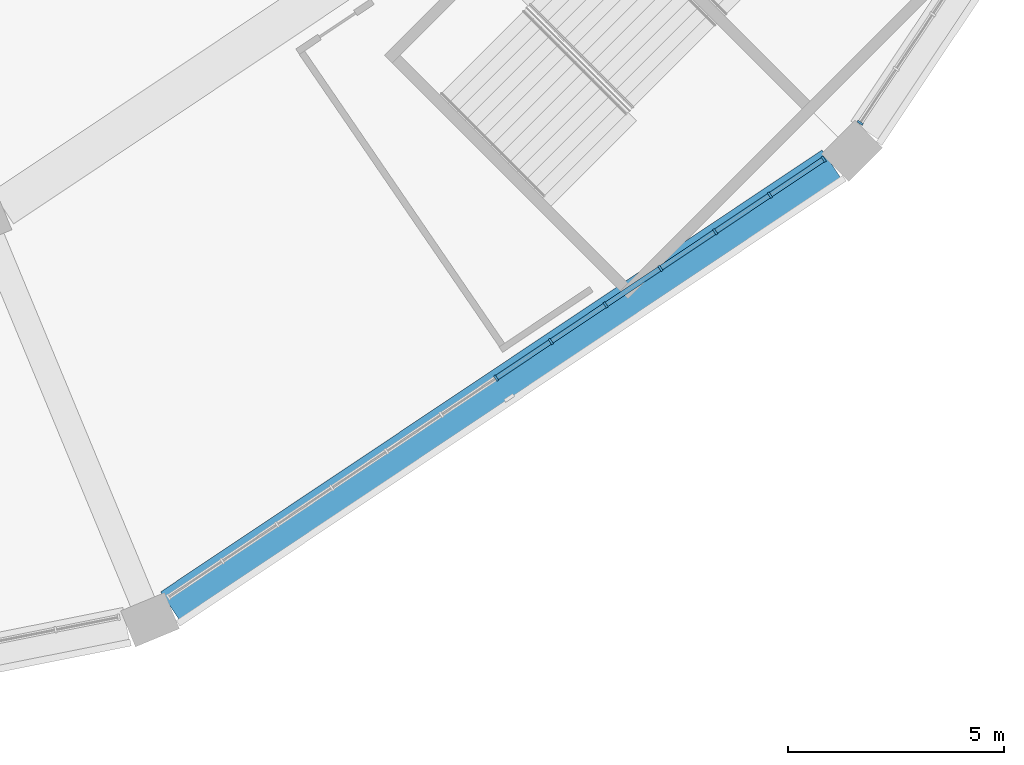
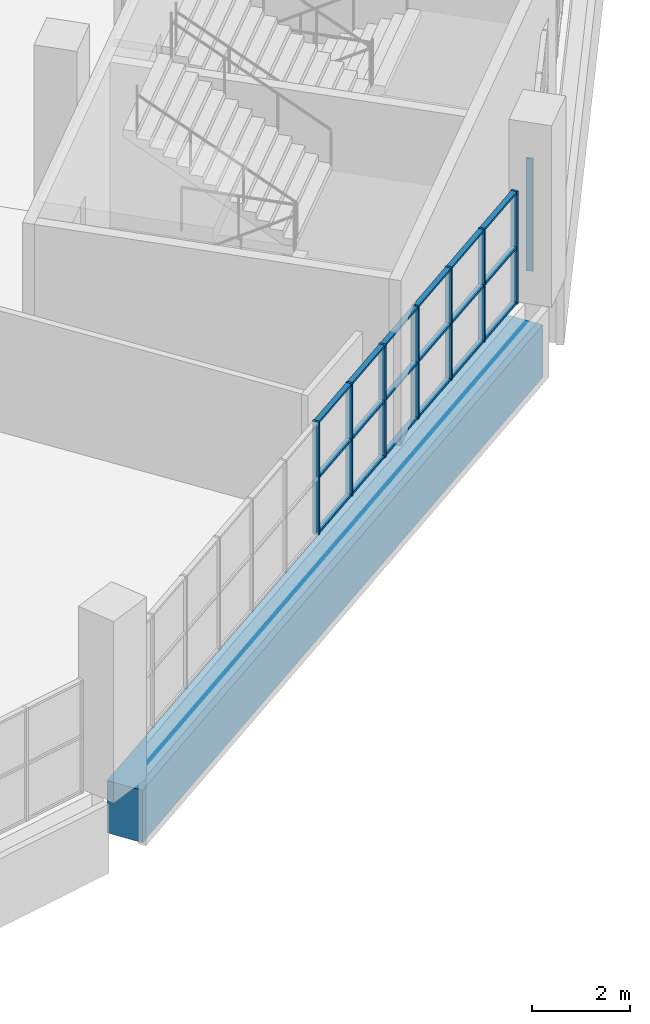
# One storey, part 22 of 199: 26 members, 1 beam, 2 elements without a shape of their own.
"""IFC4 building model written with IfcOpenShell, lengths in metres."""

from ifc_helpers import new_model, si_unit, direction, frame, origin, origin_2d, place, context, subcontext, project, spatial, rectangle, extrude, material, material_profile, profile_set, type_object, element, aggregate, save


model = new_model("IFC4")

# Units and contexts
model_context = context("Model", 3, precision=1e-05, world=origin(), true_north=direction((0.0, 1.0)))
body_context = subcontext(model_context, "Body", "Model", "MODEL_VIEW")
ifc_project = project(units=[si_unit("LENGTHUNIT", "METRE"), si_unit("AREAUNIT", "SQUARE_METRE"), si_unit("VOLUMEUNIT", "CUBIC_METRE"), si_unit("PLANEANGLEUNIT", "RADIAN"), si_unit("MASSUNIT", "GRAM", prefix="KILO")], contexts=[model_context])

# Site, building, storey
site_placement = place(None, origin())
site = spatial("IfcSite", under=ifc_project, at=site_placement, CompositionType="ELEMENT")
building_placement = place(site_placement, origin())
building = spatial("IfcBuilding", under=site, at=building_placement, Name="Ogive Plaza Stadium", CompositionType="ELEMENT")
storey_placement = place(building_placement, frame((0.0, 0.0, 4.5)))
storey = spatial("IfcBuildingStorey", under=building, at=storey_placement, Name="L01", CompositionType="ELEMENT", Elevation=4.5)

# Curtain wall, member
ifc_material_1 = material(Name="Bronze-anodised aluminium with laminated glass", Category="aluminium")
curtain_wall_type = type_object("IfcCurtainWallType", Name="Lancet curtain wall", PredefinedType="NOTDEFINED", material=ifc_material_1)
curtain_wall_1_placement = place(storey_placement, origin())
curtain_wall_1 = element("IfcCurtainWall", 1, at=curtain_wall_1_placement, inside=storey, type_object=curtain_wall_type, Name="CURTAIN WALL B09 L01", PredefinedType="NOTDEFINED")
ifc_material_2 = material(Name="Bronze-anodised aluminium", Category="aluminium")
ifc_material_profile_1 = material_profile(ifc_material_2, rectangle(XDim=0.14990234375, YDim=0.050048828125, at=origin_2d()), Name="AL 150x50")
ifc_profile_set_1 = profile_set([ifc_material_profile_1], Name="Bronze-anodised aluminium")
member_type_1 = type_object("IfcMemberType", Name="Curtain wall mullion 50x150", PredefinedType="MULLION", material=ifc_profile_set_1)
member_1_placement = place(storey_placement, frame((69.547607421875, -87.20751953125, 0.0), z_axis=(0.0, 0.0, 1.0), x_axis=(0.831469612303, -0.55557023302, 0.0)))
member_1 = element("IfcMember", 2, at=member_1_placement, type_object=member_type_1, Name="CW-B09-L01 mullion 13", PredefinedType="MULLION", context=body_context, shape_type="SweptSolid", body=[
    extrude(rectangle(XDim=0.14990234375, YDim=0.050048828125, at=origin_2d()), origin(), (0.0, 0.0, 1.0), 2.7900390625),
])
aggregate(curtain_wall_1, [member_1])

# Curtain wall, members
curtain_wall_2_placement = place(storey_placement, origin())
curtain_wall_2 = element("IfcCurtainWall", 3, at=curtain_wall_2_placement, inside=storey, type_object=curtain_wall_type, Name="CURTAIN WALL B10 L01", PredefinedType="NOTDEFINED")
member_2_placement = place(storey_placement, frame((68.70751953125, -88.047607421875, 0.0), z_axis=(0.0, 0.0, 1.0), x_axis=(0.55557023302, -0.831469612303, 0.0)))
member_2 = element("IfcMember", 4, at=member_2_placement, type_object=member_type_1, Name="CW-B10-L01 mullion 1", PredefinedType="MULLION", context=body_context, shape_type="SweptSolid", body=[
    extrude(rectangle(XDim=0.14990234375, YDim=0.050048828125, at=origin_2d()), origin(), (0.0, 0.0, 1.0), 2.7900390625),
])
member_3_placement = place(storey_placement, frame((67.462646484375, -88.879638671875, 0.0), z_axis=(0.0, 0.0, 1.0), x_axis=(0.55557023302, -0.831469612303, 0.0)))
member_3 = element("IfcMember", 5, at=member_3_placement, type_object=member_type_1, Name="CW-B10-L01 mullion 2", PredefinedType="MULLION", context=body_context, shape_type="SweptSolid", body=[
    extrude(rectangle(XDim=0.14990234375, YDim=0.050048828125, at=origin_2d()), origin(), (0.0, 0.0, 1.0), 2.7900390625),
])
member_4_placement = place(storey_placement, frame((66.19677734375, -89.725341796875, 0.0), z_axis=(0.0, 0.0, 1.0), x_axis=(0.55557023302, -0.831469612303, 0.0)))
member_4 = element("IfcMember", 6, at=member_4_placement, type_object=member_type_1, Name="CW-B10-L01 mullion 3", PredefinedType="MULLION", context=body_context, shape_type="SweptSolid", body=[
    extrude(rectangle(XDim=0.14990234375, YDim=0.050048828125, at=origin_2d()), origin(), (0.0, 0.0, 1.0), 2.7900390625),
])
member_5_placement = place(storey_placement, frame((64.930908203125, -90.571044921875, 0.0), z_axis=(0.0, 0.0, 1.0), x_axis=(0.55557023302, -0.831469612303, 0.0)))
member_5 = element("IfcMember", 7, at=member_5_placement, type_object=member_type_1, Name="CW-B10-L01 mullion 4", PredefinedType="MULLION", context=body_context, shape_type="SweptSolid", body=[
    extrude(rectangle(XDim=0.14990234375, YDim=0.050048828125, at=origin_2d()), origin(), (0.0, 0.0, 1.0), 2.7900390625),
])
member_6_placement = place(storey_placement, frame((63.665283203125, -91.416748046875, 0.0), z_axis=(0.0, 0.0, 1.0), x_axis=(0.55557023302, -0.831469612303, 0.0)))
member_6 = element("IfcMember", 8, at=member_6_placement, type_object=member_type_1, Name="CW-B10-L01 mullion 5", PredefinedType="MULLION", context=body_context, shape_type="SweptSolid", body=[
    extrude(rectangle(XDim=0.14990234375, YDim=0.050048828125, at=origin_2d()), origin(), (0.0, 0.0, 1.0), 2.7900390625),
])
member_7_placement = place(storey_placement, frame((62.3994140625, -92.2626953125, 0.0), z_axis=(0.0, 0.0, 1.0), x_axis=(0.55557023302, -0.831469612303, 0.0)))
member_7 = element("IfcMember", 9, at=member_7_placement, type_object=member_type_1, Name="CW-B10-L01 mullion 6", PredefinedType="MULLION", context=body_context, shape_type="SweptSolid", body=[
    extrude(rectangle(XDim=0.14990234375, YDim=0.050048828125, at=origin_2d()), origin(), (0.0, 0.0, 1.0), 2.7900390625),
])
member_8_placement = place(storey_placement, frame((61.133544921875, -93.1083984375, 0.0), z_axis=(0.0, 0.0, 1.0), x_axis=(0.55557023302, -0.831469612303, 0.0)))
member_8 = element("IfcMember", 10, at=member_8_placement, type_object=member_type_1, Name="CW-B10-L01 mullion 7", PredefinedType="MULLION", context=body_context, shape_type="SweptSolid", body=[
    extrude(rectangle(XDim=0.14990234375, YDim=0.050048828125, at=origin_2d()), origin(), (0.0, 0.0, 1.0), 2.7900390625),
])
ifc_material_3 = material(Name="Bronze-anodised aluminium", Category="aluminium")
ifc_material_profile_2 = material_profile(ifc_material_3, rectangle(XDim=0.1201171875, YDim=0.050048828125, at=origin_2d()), Name="AL 120x50")
ifc_profile_set_2 = profile_set([ifc_material_profile_2], Name="Bronze-anodised aluminium")
member_type_2 = type_object("IfcMemberType", Name="Curtain wall transom 50x120", PredefinedType="USERDEFINED", material=ifc_profile_set_2)
member_9_placement = place(storey_placement, frame((68.686767578125, -88.0615234375, 0.02490234375), z_axis=(-0.831426948977, -0.555634077892, 0.0), x_axis=(0.555634077892, -0.831426948977, 0.0)))
member_9 = element("IfcMember", 11, at=member_9_placement, type_object=member_type_2, Name="CW-B10-L01 transom 1.1", ObjectType="TRANSOM", PredefinedType="USERDEFINED", context=body_context, shape_type="SweptSolid", body=[
    extrude(rectangle(XDim=0.1201171875, YDim=0.050048828125, at=origin_2d()), origin(), (0.0, 0.0, 1.0), 1.447265625),
])
member_10_placement = place(storey_placement, frame((68.686767578125, -88.0615234375, 1.39501953125), z_axis=(-0.831426948977, -0.555634077892, 0.0), x_axis=(0.555634077892, -0.831426948977, 0.0)))
member_10 = element("IfcMember", 12, at=member_10_placement, type_object=member_type_2, Name="CW-B10-L01 transom 1.2", ObjectType="TRANSOM", PredefinedType="USERDEFINED", context=body_context, shape_type="SweptSolid", body=[
    extrude(rectangle(XDim=0.1201171875, YDim=0.050048828125, at=origin_2d()), origin(), (0.0, 0.0, 1.0), 1.447265625),
])
member_11_placement = place(storey_placement, frame((68.686767578125, -88.0615234375, 2.764892578125), z_axis=(-0.831426948977, -0.555634077892, 0.0), x_axis=(0.555634077892, -0.831426948977, 0.0)))
member_11 = element("IfcMember", 13, at=member_11_placement, type_object=member_type_2, Name="CW-B10-L01 transom 1.3", ObjectType="TRANSOM", PredefinedType="USERDEFINED", context=body_context, shape_type="SweptSolid", body=[
    extrude(rectangle(XDim=0.1201171875, YDim=0.050048828125, at=origin_2d()), origin(), (0.0, 0.0, 1.0), 1.447265625),
])
member_12_placement = place(storey_placement, frame((67.441650390625, -88.893310546875, 0.02490234375), z_axis=(-0.831411982446, -0.555656472512, 0.0), x_axis=(0.555656472512, -0.831411982446, 0.0)))
member_12 = element("IfcMember", 14, at=member_12_placement, type_object=member_type_2, Name="CW-B10-L01 transom 2.1", ObjectType="TRANSOM", PredefinedType="USERDEFINED", context=body_context, shape_type="SweptSolid", body=[
    extrude(rectangle(XDim=0.1201171875, YDim=0.050048828125, at=origin_2d()), origin(), (0.0, 0.0, 1.0), 1.472412109375),
])
member_13_placement = place(storey_placement, frame((67.441650390625, -88.893310546875, 1.39501953125), z_axis=(-0.831411982446, -0.555656472512, 0.0), x_axis=(0.555656472512, -0.831411982446, 0.0)))
member_13 = element("IfcMember", 15, at=member_13_placement, type_object=member_type_2, Name="CW-B10-L01 transom 2.2", ObjectType="TRANSOM", PredefinedType="USERDEFINED", context=body_context, shape_type="SweptSolid", body=[
    extrude(rectangle(XDim=0.1201171875, YDim=0.050048828125, at=origin_2d()), origin(), (0.0, 0.0, 1.0), 1.472412109375),
])
member_14_placement = place(storey_placement, frame((67.441650390625, -88.893310546875, 2.764892578125), z_axis=(-0.831411982446, -0.555656472512, 0.0), x_axis=(0.555656472512, -0.831411982446, 0.0)))
member_14 = element("IfcMember", 16, at=member_14_placement, type_object=member_type_2, Name="CW-B10-L01 transom 2.3", ObjectType="TRANSOM", PredefinedType="USERDEFINED", context=body_context, shape_type="SweptSolid", body=[
    extrude(rectangle(XDim=0.1201171875, YDim=0.050048828125, at=origin_2d()), origin(), (0.0, 0.0, 1.0), 1.472412109375),
])
member_15_placement = place(storey_placement, frame((66.176025390625, -89.7392578125, 0.02490234375), z_axis=(-0.83153975619, -0.555465240925, 0.0), x_axis=(0.555465240925, -0.83153975619, 0.0)))
member_15 = element("IfcMember", 17, at=member_15_placement, type_object=member_type_2, Name="CW-B10-L01 transom 3.1", ObjectType="TRANSOM", PredefinedType="USERDEFINED", context=body_context, shape_type="SweptSolid", body=[
    extrude(rectangle(XDim=0.1201171875, YDim=0.050048828125, at=origin_2d()), origin(), (0.0, 0.0, 1.0), 1.472412109375),
])
member_16_placement = place(storey_placement, frame((66.176025390625, -89.7392578125, 1.39501953125), z_axis=(-0.83153975619, -0.555465240925, 0.0), x_axis=(0.555465240925, -0.83153975619, 0.0)))
member_16 = element("IfcMember", 18, at=member_16_placement, type_object=member_type_2, Name="CW-B10-L01 transom 3.2", ObjectType="TRANSOM", PredefinedType="USERDEFINED", context=body_context, shape_type="SweptSolid", body=[
    extrude(rectangle(XDim=0.1201171875, YDim=0.050048828125, at=origin_2d()), origin(), (0.0, 0.0, 1.0), 1.472412109375),
])
member_17_placement = place(storey_placement, frame((66.176025390625, -89.7392578125, 2.764892578125), z_axis=(-0.83153975619, -0.555465240925, 0.0), x_axis=(0.555465240925, -0.83153975619, 0.0)))
member_17 = element("IfcMember", 19, at=member_17_placement, type_object=member_type_2, Name="CW-B10-L01 transom 3.3", ObjectType="TRANSOM", PredefinedType="USERDEFINED", context=body_context, shape_type="SweptSolid", body=[
    extrude(rectangle(XDim=0.1201171875, YDim=0.050048828125, at=origin_2d()), origin(), (0.0, 0.0, 1.0), 1.472412109375),
])
member_18_placement = place(storey_placement, frame((64.91015625, -90.5849609375, 0.02490234375), z_axis=(-0.831488586159, -0.555541835587, 0.0), x_axis=(0.555541835587, -0.831488586159, 0.0)))
member_18 = element("IfcMember", 20, at=member_18_placement, type_object=member_type_2, Name="CW-B10-L01 transom 4.1", ObjectType="TRANSOM", PredefinedType="USERDEFINED", context=body_context, shape_type="SweptSolid", body=[
    extrude(rectangle(XDim=0.1201171875, YDim=0.050048828125, at=origin_2d()), origin(), (0.0, 0.0, 1.0), 1.47216796875),
])
member_19_placement = place(storey_placement, frame((64.91015625, -90.5849609375, 1.39501953125), z_axis=(-0.831488586159, -0.555541835587, 0.0), x_axis=(0.555541835587, -0.831488586159, 0.0)))
member_19 = element("IfcMember", 21, at=member_19_placement, type_object=member_type_2, Name="CW-B10-L01 transom 4.2", ObjectType="TRANSOM", PredefinedType="USERDEFINED", context=body_context, shape_type="SweptSolid", body=[
    extrude(rectangle(XDim=0.1201171875, YDim=0.050048828125, at=origin_2d()), origin(), (0.0, 0.0, 1.0), 1.47216796875),
])
member_20_placement = place(storey_placement, frame((64.91015625, -90.5849609375, 2.764892578125), z_axis=(-0.831488586159, -0.555541835587, 0.0), x_axis=(0.555541835587, -0.831488586159, 0.0)))
member_20 = element("IfcMember", 22, at=member_20_placement, type_object=member_type_2, Name="CW-B10-L01 transom 4.3", ObjectType="TRANSOM", PredefinedType="USERDEFINED", context=body_context, shape_type="SweptSolid", body=[
    extrude(rectangle(XDim=0.1201171875, YDim=0.050048828125, at=origin_2d()), origin(), (0.0, 0.0, 1.0), 1.47216796875),
])
member_21_placement = place(storey_placement, frame((63.64453125, -91.4306640625, 0.02490234375), z_axis=(-0.831463168883, -0.555579876157, 0.0), x_axis=(0.555579876157, -0.831463168883, 0.0)))
member_21 = element("IfcMember", 23, at=member_21_placement, type_object=member_type_2, Name="CW-B10-L01 transom 5.1", ObjectType="TRANSOM", PredefinedType="USERDEFINED", context=body_context, shape_type="SweptSolid", body=[
    extrude(rectangle(XDim=0.1201171875, YDim=0.050048828125, at=origin_2d()), origin(), (0.0, 0.0, 1.0), 1.47265625),
])
member_22_placement = place(storey_placement, frame((63.64453125, -91.4306640625, 1.39501953125), z_axis=(-0.831463168883, -0.555579876157, 0.0), x_axis=(0.555579876157, -0.831463168883, 0.0)))
member_22 = element("IfcMember", 24, at=member_22_placement, type_object=member_type_2, Name="CW-B10-L01 transom 5.2", ObjectType="TRANSOM", PredefinedType="USERDEFINED", context=body_context, shape_type="SweptSolid", body=[
    extrude(rectangle(XDim=0.1201171875, YDim=0.050048828125, at=origin_2d()), origin(), (0.0, 0.0, 1.0), 1.47265625),
])
member_23_placement = place(storey_placement, frame((63.64453125, -91.4306640625, 2.764892578125), z_axis=(-0.831463168883, -0.555579876157, 0.0), x_axis=(0.555579876157, -0.831463168883, 0.0)))
member_23 = element("IfcMember", 25, at=member_23_placement, type_object=member_type_2, Name="CW-B10-L01 transom 5.3", ObjectType="TRANSOM", PredefinedType="USERDEFINED", context=body_context, shape_type="SweptSolid", body=[
    extrude(rectangle(XDim=0.1201171875, YDim=0.050048828125, at=origin_2d()), origin(), (0.0, 0.0, 1.0), 1.47265625),
])
member_24_placement = place(storey_placement, frame((62.378662109375, -92.2763671875, 0.02490234375), z_axis=(-0.831411982446, -0.555656472512, 0.0), x_axis=(0.555656472512, -0.831411982446, 0.0)))
member_24 = element("IfcMember", 26, at=member_24_placement, type_object=member_type_2, Name="CW-B10-L01 transom 6.1", ObjectType="TRANSOM", PredefinedType="USERDEFINED", context=body_context, shape_type="SweptSolid", body=[
    extrude(rectangle(XDim=0.1201171875, YDim=0.050048828125, at=origin_2d()), origin(), (0.0, 0.0, 1.0), 1.472412109375),
])
member_25_placement = place(storey_placement, frame((62.378662109375, -92.2763671875, 1.39501953125), z_axis=(-0.831411982446, -0.555656472512, 0.0), x_axis=(0.555656472512, -0.831411982446, 0.0)))
member_25 = element("IfcMember", 27, at=member_25_placement, type_object=member_type_2, Name="CW-B10-L01 transom 6.2", ObjectType="TRANSOM", PredefinedType="USERDEFINED", context=body_context, shape_type="SweptSolid", body=[
    extrude(rectangle(XDim=0.1201171875, YDim=0.050048828125, at=origin_2d()), origin(), (0.0, 0.0, 1.0), 1.472412109375),
])
member_26_placement = place(storey_placement, frame((62.378662109375, -92.2763671875, 2.764892578125), z_axis=(-0.831411982446, -0.555656472512, 0.0), x_axis=(0.555656472512, -0.831411982446, 0.0)))
member_26 = element("IfcMember", 28, at=member_26_placement, type_object=member_type_2, Name="CW-B10-L01 transom 6.3", ObjectType="TRANSOM", PredefinedType="USERDEFINED", context=body_context, shape_type="SweptSolid", body=[
    extrude(rectangle(XDim=0.1201171875, YDim=0.050048828125, at=origin_2d()), origin(), (0.0, 0.0, 1.0), 1.472412109375),
])
aggregate(curtain_wall_2, [member_2, member_3, member_4, member_5, member_6, member_7, member_8, member_9, member_10, member_11, member_12, member_13, member_14, member_15, member_16, member_17, member_18, member_19, member_20, member_21, member_22, member_23, member_24, member_25, member_26])

# Beam
ifc_material_4 = material(Name="Concrete C40/50", Category="concrete")
ifc_material_profile_3 = material_profile(ifc_material_4, rectangle(XDim=0.800048828125, YDim=1.300048828125, at=origin_2d()), Name="RC 800x1300")
ifc_profile_set_3 = profile_set([ifc_material_profile_3], Name="Concrete C40/50")
beam_type = type_object("IfcBeamType", Name="RC spandrel beam 800x1300", PredefinedType="SPANDREL", material=ifc_profile_set_3)
beam_placement = place(storey_placement, frame((68.88916015625, -88.1669921875, -1.06005859375), z_axis=(-0.831477897484, -0.555557833169, 0.0), x_axis=(0.555557833169, -0.831477897484, 0.0)))
element("IfcBeam", 29, at=beam_placement, inside=storey, type_object=beam_type, Name="Ring beam F5 L01 B10", PredefinedType="SPANDREL", context=body_context, shape_type="SweptSolid", body=[
    extrude(rectangle(XDim=0.800048828125, YDim=1.300048828125, at=origin_2d()), origin(), (0.0, 0.0, 1.0), 18.387451171875),
])

save(model, "model.ifc")
